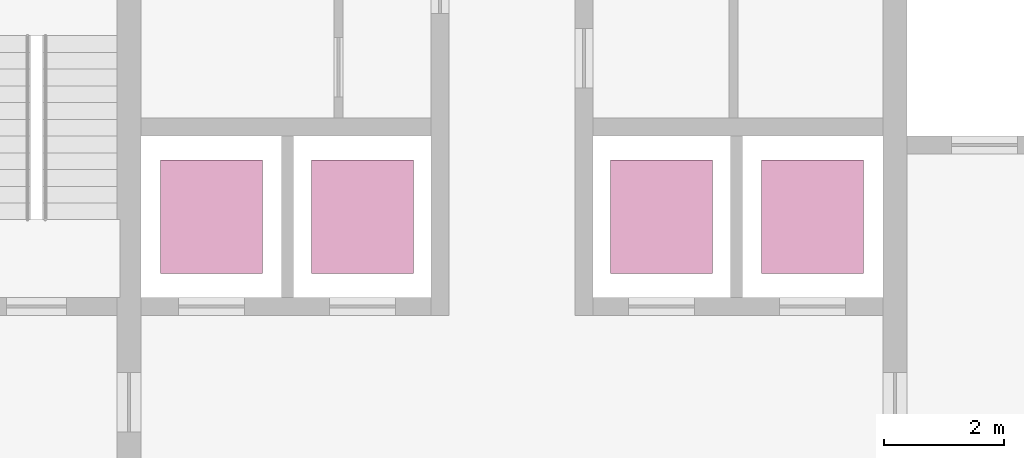
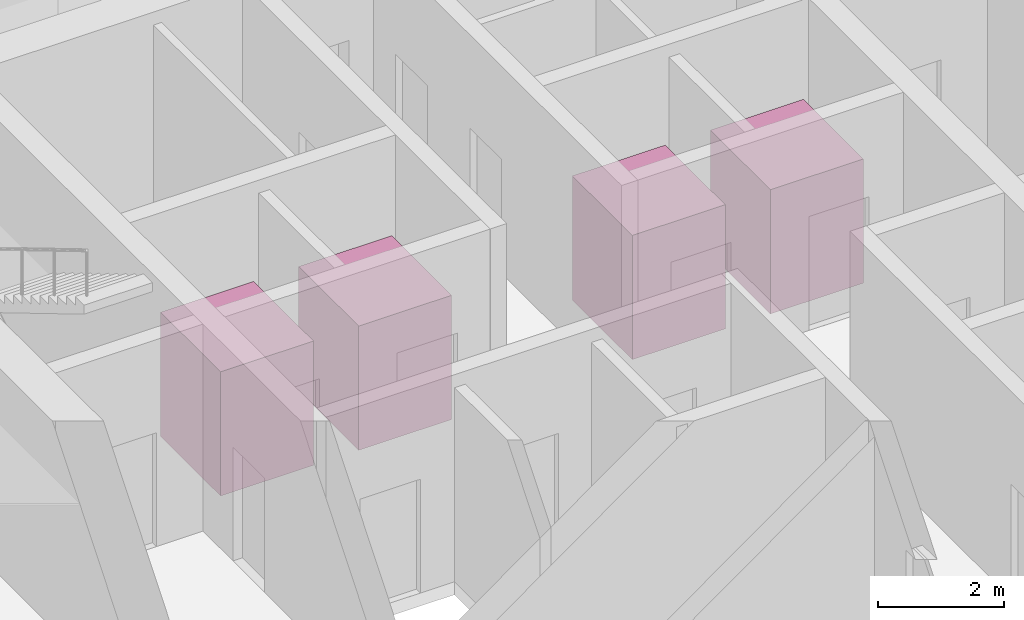
# One storey, part 22 of 22: 4 transport elements.
"""IFC4 building model written with IfcOpenShell, lengths in metres."""

from ifc_helpers import new_model, si_unit, direction, frame, origin, origin_2d, place, context, subcontext, project, spatial, rectangle, extrude, material, type_object, element, save


model = new_model("IFC4")

# Units and contexts
model_context = context("Model", 3, precision=1e-05, world=origin(), true_north=direction((0.0, 1.0)))
body_context = subcontext(model_context, "Body", "Model", "MODEL_VIEW")
ifc_project = project(units=[si_unit("LENGTHUNIT", "METRE"), si_unit("AREAUNIT", "SQUARE_METRE"), si_unit("VOLUMEUNIT", "CUBIC_METRE"), si_unit("PLANEANGLEUNIT", "RADIAN"), si_unit("MASSUNIT", "GRAM", prefix="KILO")], contexts=[model_context])

# Site, building, storey
site_placement = place(None, origin())
site = spatial("IfcSite", under=ifc_project, at=site_placement, CompositionType="ELEMENT")
building_placement = place(site_placement, origin())
building = spatial("IfcBuilding", under=site, at=building_placement, Name="Golbaran Civic Tower", CompositionType="ELEMENT")
storey_placement = place(building_placement, frame((0.0, 0.0, 90.0)))
storey = spatial("IfcBuildingStorey", under=building, at=storey_placement, Name="L21", CompositionType="ELEMENT", Elevation=90.0)

# Transport elements
ifc_material = material(Name="Steel car, stainless steel finish", Category="steel")
transport_element_type = type_object("IfcTransportElementType", Name="PASSENGER LIFT 1350 KG", PredefinedType="ELEVATOR", material=ifc_material)
for number, where, z_axis, x_axis, name in (
    (1, (-5.02490234375, 3.10009765625, 0.0), (0.0, 0.0, 1.0), (1.0, 0.0, 0.0), "Lift Z1M"),
    (2, (-2.5, 3.10009765625, 0.0), (0.0, 0.0, 1.0), (1.0, 0.0, 0.0), "Lift Z2M"),
    (3, (2.5, 3.10009765625, 0.0), (0.0, 0.0, 1.0), (1.0, 0.0, 0.0), "Lift Z3M"),
    (4, (5.02490234375, 3.10009765625, 0.0), (0.0, 0.0, 1.0), (1.0, 0.0, 0.0), "Lift Z4M"),
):
    element("IfcTransportElement", number, at=place(storey_placement, frame(where, z_axis=z_axis, x_axis=x_axis)), inside=storey, type_object=transport_element_type, Name=name, PredefinedType="ELEVATOR", context=body_context, shape_type="SweptSolid", body=[
        extrude(rectangle(XDim=1.699951171875, YDim=1.89990234375, at=origin_2d()), origin(), (0.0, 0.0, 1.0), 2.39990234375),
    ])

save(model, "model.ifc")
